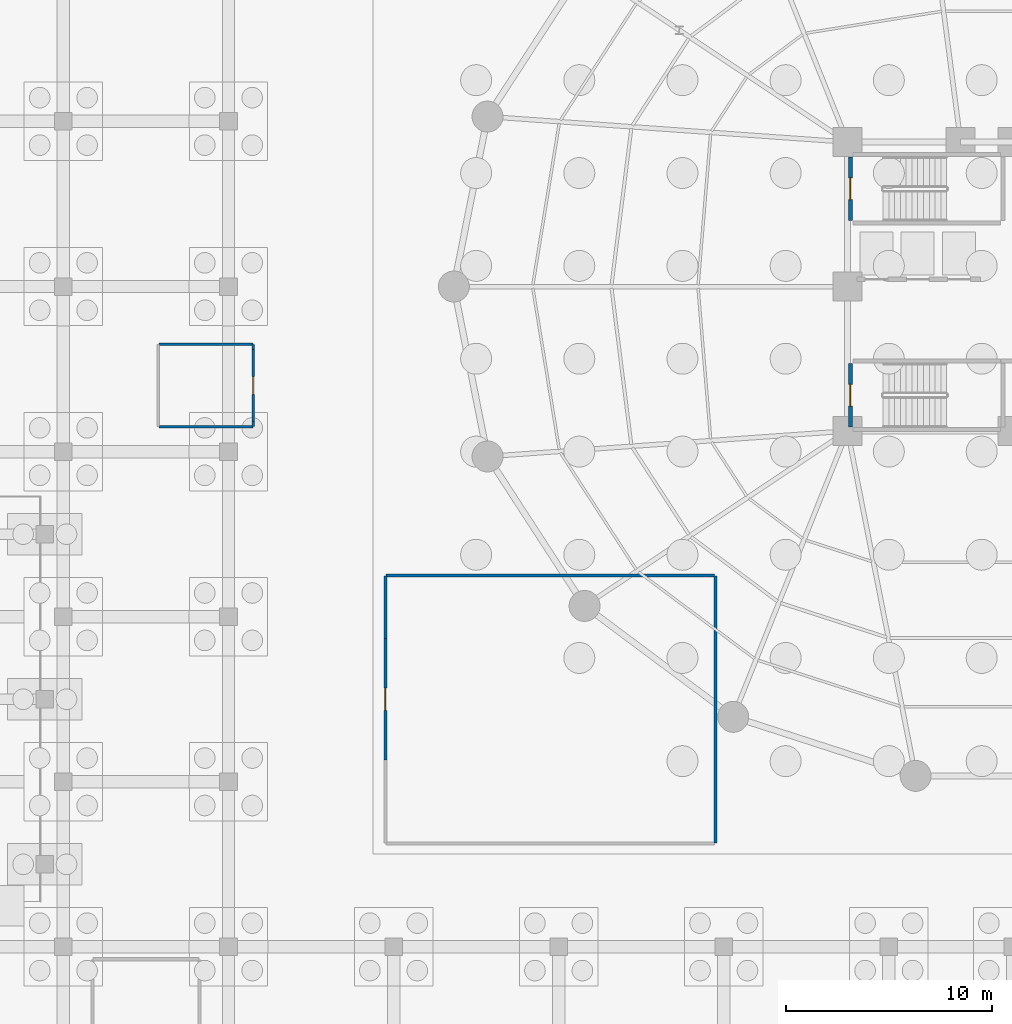
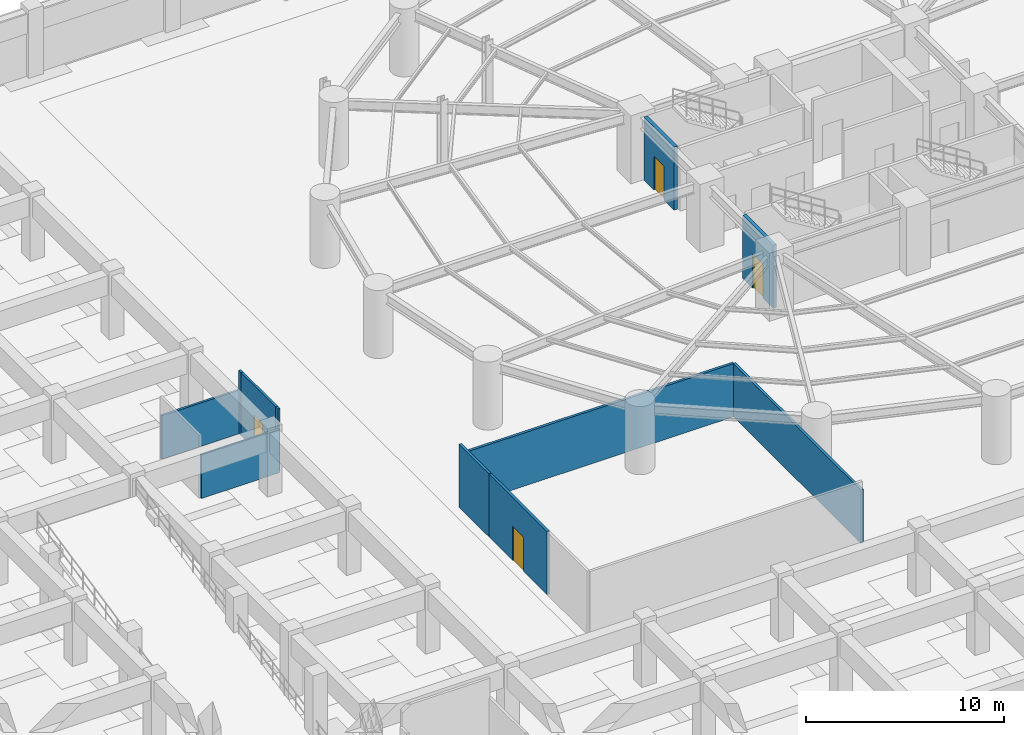
# One storey, part 14 of 23: 11 walls, 4 doors, 4 openings.
"""IFC4 building model written with IfcOpenShell, lengths in metres."""

from ifc_helpers import new_model, si_unit, direction, frame, frame_2d, origin, place, context, subcontext, project, spatial, rectangle, extrude, material, layer, layer_set, type_object, element, fill, save


model = new_model("IFC4")

# Units and contexts
model_context = context("Model", 3, precision=1e-05, world=origin(), true_north=direction((0.0, 1.0)))
body_context = subcontext(model_context, "Body", "Model", "MODEL_VIEW")
ifc_project = project(units=[si_unit("LENGTHUNIT", "METRE"), si_unit("AREAUNIT", "SQUARE_METRE"), si_unit("VOLUMEUNIT", "CUBIC_METRE"), si_unit("PLANEANGLEUNIT", "RADIAN"), si_unit("MASSUNIT", "GRAM", prefix="KILO")], contexts=[model_context])

# Site, building, storey
site_placement = place(None, origin())
site = spatial("IfcSite", under=ifc_project, at=site_placement, CompositionType="ELEMENT")
building_placement = place(site_placement, origin())
building = spatial("IfcBuilding", under=site, at=building_placement, Name="Kelanora Arch Commons", CompositionType="ELEMENT")
storey_placement = place(building_placement, frame((0.0, 0.0, -8.39990234375)))
storey = spatial("IfcBuildingStorey", under=building, at=storey_placement, Name="B02", CompositionType="ELEMENT", Elevation=-8.39990234375)

# Wall, opening, door
ifc_material_1 = material(Name="Autoclaved aerated concrete blockwork with fire plaster", Category="masonry")
ifc_layer_1 = layer(ifc_material_1, 0.14990234375)
ifc_layer_set_1 = layer_set([ifc_layer_1], Name="Autoclaved aerated concrete blockwork with fire plaster")
wall_type_1 = type_object("IfcWallType", Name="W-COMP-150", PredefinedType="PARTITIONING", material=ifc_layer_set_1)
wall_1_placement = place(storey_placement, frame((43.60009765625, 35.06005859375, 0.0), z_axis=(0.0, 0.0, 1.0), x_axis=(0.0, 1.0, 0.0)))
wall_1 = element("IfcWall", 1, at=wall_1_placement, inside=storey, type_object=wall_type_1, Name="Monsoon Attenuation and Fire Water Tank Room B02 Entry Partition", PredefinedType="PARTITIONING", context=body_context, shape_type="SweptSolid", body=[
    extrude(rectangle(XDim=5.8798828125, YDim=0.14990234375, at=frame_2d((2.93994140625, 0.0))), origin(), (0.0, 0.0, 1.0), 3.889892578125),
])
opening_1_placement = place(wall_1_placement, frame((2.39990234375, 0.0, 0.0)))
opening_1 = element("IfcOpeningElement", 2, at=opening_1_placement, cuts=wall_1, Name="Opening D-PLT1", PredefinedType="OPENING", context=body_context, shape_type="SweptSolid", body=[
    extrude(rectangle(XDim=1.080078125, YDim=2.10009765625, at=frame_2d((0.5400390625, 1.050048828125))), frame((0.0, 0.0849609375, 0.0), z_axis=(0.0, -1.0, 0.0), x_axis=(1.0, 0.0, 0.0)), (0.0, 0.0, 1.0), 0.169921875),
])
ifc_material_2 = material(Name="Galvanised steel plant and riser fire door", Category="steel")
door_type_1 = type_object("IfcDoorType", Name="D-PLT-110", OperationType="NOTDEFINED", PredefinedType="DOOR", material=ifc_material_2)
door_1_placement = place(opening_1_placement, origin())
door_1 = element("IfcDoor", 3, at=door_1_placement, inside=storey, type_object=door_type_1, Name="Monsoon Attenuation and Fire Water Tank Room B02 Door", OperationType="SINGLE_SWING_LEFT", OverallHeight=2.10009765625, OverallWidth=1.080078125, PredefinedType="DOOR", context=body_context, shape_type="SweptSolid", body=[
    extrude(rectangle(XDim=1.080078125, YDim=2.10009765625, at=frame_2d((0.5400390625, 1.050048828125))), frame((0.0, 0.02490234375, 0.0), z_axis=(0.0, -1.0, 0.0), x_axis=(1.0, 0.0, 0.0)), (0.0, 0.0, 1.0), 0.050048828125),
])
fill(opening_1, door_1)

# Walls
wall_2_placement = place(storey_placement, frame((59.60009765625, 31.0400390625, 0.0), z_axis=(0.0, 0.0, 1.0), x_axis=(0.0, 1.0, 0.0)))
element("IfcWall", 4, at=wall_2_placement, inside=storey, type_object=wall_type_1, Name="Monsoon Attenuation and Fire Water Tank Room B02 Enclosure Partition 2", PredefinedType="PARTITIONING", context=body_context, shape_type="SweptSolid", body=[
    extrude(rectangle(XDim=12.919921875, YDim=0.14990234375, at=frame_2d((6.4599609375, 0.0))), origin(), (0.0, 0.0, 1.0), 3.284912109375),
])
wall_3_placement = place(storey_placement, frame((59.56005859375, 44.0, 0.0), z_axis=(0.0, 0.0, 1.0), x_axis=(-1.0, 0.0, 0.0)))
element("IfcWall", 5, at=wall_3_placement, inside=storey, type_object=wall_type_1, Name="Monsoon Attenuation and Fire Water Tank Room B02 Enclosure Partition 3", PredefinedType="PARTITIONING", context=body_context, shape_type="SweptSolid", body=[
    extrude(rectangle(XDim=15.920166015625, YDim=0.14990234375, at=frame_2d((7.9599609375, 0.0))), origin(), (0.0, 0.0, 1.0), 3.284912109375),
])
wall_4_placement = place(storey_placement, frame((43.60009765625, 43.9599609375, 0.0), z_axis=(0.0, 0.0, 1.0), x_axis=(0.0, -1.0, 0.0)))
element("IfcWall", 6, at=wall_4_placement, inside=storey, type_object=wall_type_1, Name="Monsoon Attenuation and Fire Water Tank Room B02 Enclosure Partition 4", PredefinedType="PARTITIONING", context=body_context, shape_type="SweptSolid", body=[
    extrude(rectangle(XDim=3.02001953125, YDim=0.14990234375, at=frame_2d((1.510009765625, 0.0))), origin(), (0.0, 0.0, 1.0), 3.889892578125),
])

# Wall, opening, door
ifc_material_3 = material(Name="Concrete C40/50", Category="concrete")
ifc_layer_2 = layer(ifc_material_3, 0.199951171875)
ifc_layer_set_2 = layer_set([ifc_layer_2], Name="Concrete C40/50")
wall_type_2 = type_object("IfcWallType", Name="W-STAIR-200", PredefinedType="SHEAR", material=ifc_layer_set_2)
wall_5_placement = place(storey_placement, frame((66.139892578125, 64.27001953125, 0.0), z_axis=(0.0, 0.0, 1.0), x_axis=(0.0, -1.0, 0.0)))
wall_5 = element("IfcWall", 7, at=wall_5_placement, inside=storey, type_object=wall_type_2, Name="Stair ST-T1 Shaft Wall W B02", PredefinedType="SHEAR", context=body_context, shape_type="SweptSolid", body=[
    extrude(rectangle(XDim=3.070068359375, YDim=0.199951171875, at=frame_2d((1.53515625, 0.0))), origin(), (0.0, 0.0, 1.0), 3.89990234375),
])
opening_2_placement = place(wall_5_placement, frame((1.010009765625, 0.0, 0.0)))
opening_2 = element("IfcOpeningElement", 8, at=opening_2_placement, cuts=wall_5, Name="Opening D-ST1", PredefinedType="OPENING", context=body_context, shape_type="SweptSolid", body=[
    extrude(rectangle(XDim=1.050048828125, YDim=2.10009765625, at=frame_2d((0.52490234375, 1.050048828125))), frame((0.0, 0.10986328125, 0.0), z_axis=(0.0, -1.0, 0.0), x_axis=(1.0, 0.0, 0.0)), (0.0, 0.0, 1.0), 0.219970703125),
])
ifc_material_4 = material(Name="Steel fire-rated stairwell escape door", Category="steel")
door_type_2 = type_object("IfcDoorType", Name="D-STAIR-110", OperationType="NOTDEFINED", PredefinedType="DOOR", material=ifc_material_4)
door_2_placement = place(opening_2_placement, origin())
door_2 = element("IfcDoor", 9, at=door_2_placement, inside=storey, type_object=door_type_2, Name="Stair ST-T1 Escape Door B02", OperationType="SINGLE_SWING_LEFT", OverallHeight=2.10009765625, OverallWidth=1.050048828125, PredefinedType="DOOR", context=body_context, shape_type="SweptSolid", body=[
    extrude(rectangle(XDim=1.050048828125, YDim=2.10009765625, at=frame_2d((0.52490234375, 1.050048828125))), frame((0.0, 0.02490234375, 0.0), z_axis=(0.0, -1.0, 0.0), x_axis=(1.0, 0.0, 0.0)), (0.0, 0.0, 1.0), 0.050048828125),
])
fill(opening_2, door_2)

wall_6_placement = place(storey_placement, frame((66.139892578125, 54.27001953125, 0.0), z_axis=(0.0, 0.0, 1.0), x_axis=(0.0, -1.0, 0.0)))
wall_6 = element("IfcWall", 10, at=wall_6_placement, inside=storey, type_object=wall_type_2, Name="Stair ST-T3 Shaft Wall W B02", PredefinedType="SHEAR", context=body_context, shape_type="SweptSolid", body=[
    extrude(rectangle(XDim=3.070068359375, YDim=0.199951171875, at=frame_2d((1.53515625, 0.0))), origin(), (0.0, 0.0, 1.0), 3.89990234375),
])
opening_3_placement = place(wall_6_placement, frame((1.010009765625, 0.0, 0.0)))
opening_3 = element("IfcOpeningElement", 11, at=opening_3_placement, cuts=wall_6, Name="Opening D-ST1", PredefinedType="OPENING", context=body_context, shape_type="SweptSolid", body=[
    extrude(rectangle(XDim=1.050048828125, YDim=2.10009765625, at=frame_2d((0.52490234375, 1.050048828125))), frame((0.0, 0.10986328125, 0.0), z_axis=(0.0, -1.0, 0.0), x_axis=(1.0, 0.0, 0.0)), (0.0, 0.0, 1.0), 0.219970703125),
])
door_3_placement = place(opening_3_placement, origin())
door_3 = element("IfcDoor", 12, at=door_3_placement, inside=storey, type_object=door_type_2, Name="Stair ST-T3 Escape Door B02", OperationType="SINGLE_SWING_LEFT", OverallHeight=2.10009765625, OverallWidth=1.050048828125, PredefinedType="DOOR", context=body_context, shape_type="SweptSolid", body=[
    extrude(rectangle(XDim=1.050048828125, YDim=2.10009765625, at=frame_2d((0.52490234375, 1.050048828125))), frame((0.0, 0.02490234375, 0.0), z_axis=(0.0, -1.0, 0.0), x_axis=(1.0, 0.0, 0.0)), (0.0, 0.0, 1.0), 0.050048828125),
])
fill(opening_3, door_3)

ifc_material_5 = material(Name="Moisture-resistant fire-rated cement-board plumbing wall")
ifc_layer_3 = layer(ifc_material_5, 0.1298828125)
ifc_layer_set_3 = layer_set([ifc_layer_3], Name="Moisture-resistant fire-rated cement-board plumbing wall")
wall_type_3 = type_object("IfcWallType", Name="W-WET-120", PredefinedType="PLUMBINGWALL", material=ifc_layer_set_3)
wall_7_placement = place(storey_placement, frame((37.199951171875, 51.4599609375, 0.0), z_axis=(0.0, 0.0, 1.0), x_axis=(0.0, 1.0, 0.0)))
wall_7 = element("IfcWall", 13, at=wall_7_placement, inside=storey, type_object=wall_type_3, Name="Accessible Staff Toilet B02 Entry Partition", PredefinedType="PLUMBINGWALL", context=body_context, shape_type="SweptSolid", body=[
    extrude(rectangle(XDim=3.47998046875, YDim=0.1298828125, at=frame_2d((1.739990234375, 0.0))), origin(), (0.0, 0.0, 1.0), 3.889892578125),
])
opening_4_placement = place(wall_7_placement, frame((1.31005859375, 0.0, 0.0)))
opening_4 = element("IfcOpeningElement", 14, at=opening_4_placement, cuts=wall_7, Name="Opening D-BT1", PredefinedType="OPENING", context=body_context, shape_type="SweptSolid", body=[
    extrude(rectangle(XDim=0.860107421875, YDim=2.050048828125, at=frame_2d((0.43017578125, 1.02490234375))), frame((0.0, 0.074951171875, 0.0), z_axis=(0.0, -1.0, 0.0), x_axis=(1.0, 0.0, 0.0)), (0.0, 0.0, 1.0), 0.14990234375),
])
ifc_material_6 = material(Name="Moisture-sealed fire-rated accessible bathroom door")
door_type_3 = type_object("IfcDoorType", Name="D-BATH-85", OperationType="NOTDEFINED", PredefinedType="DOOR", material=ifc_material_6)
door_4_placement = place(opening_4_placement, origin())
door_4 = element("IfcDoor", 15, at=door_4_placement, inside=storey, type_object=door_type_3, Name="Accessible Staff Toilet B02 Door", OperationType="SINGLE_SWING_LEFT", OverallHeight=2.050048828125, OverallWidth=0.860107421875, PredefinedType="DOOR", context=body_context, shape_type="SweptSolid", body=[
    extrude(rectangle(XDim=0.860107421875, YDim=2.050048828125, at=frame_2d((0.43017578125, 1.02490234375))), frame((0.0, 0.02490234375, 0.0), z_axis=(0.0, -1.0, 0.0), x_axis=(1.0, 0.0, 0.0)), (0.0, 0.0, 1.0), 0.050048828125),
])
fill(opening_4, door_4)

# Walls
wall_8_placement = place(storey_placement, frame((32.6201171875, 51.199951171875, 0.0), z_axis=(0.0, 0.0, 1.0), x_axis=(1.0, 0.0, 0.0)))
element("IfcWall", 16, at=wall_8_placement, inside=storey, type_object=wall_type_3, Name="Accessible Staff Toilet B02 Enclosure Partition 1", PredefinedType="PLUMBINGWALL", context=body_context, shape_type="SweptSolid", body=[
    extrude(rectangle(XDim=4.559814453125, YDim=0.1298828125, at=frame_2d((2.27978515625, 0.0))), origin(), (0.0, 0.0, 1.0), 2.684814453125),
])
for number, where, z_axis, x_axis, name in (
    (17, (37.199951171875, 51.219970703125, 0.0), (0.0, 0.0, 1.0), (0.0, 1.0, 0.0), "Accessible Staff Toilet B02 Enclosure Partition 2"),
    (18, (37.199951171875, 54.93994140625, 0.0), (0.0, 0.0, 1.0), (0.0, 1.0, 0.0), "Accessible Staff Toilet B02 Enclosure Partition 2"),
):
    element("IfcWall", number, at=place(storey_placement, frame(where, z_axis=z_axis, x_axis=x_axis)), inside=storey, type_object=wall_type_3, Name=name, PredefinedType="PLUMBINGWALL", context=body_context, shape_type="SweptSolid", body=[
        extrude(rectangle(XDim=0.239990234375, YDim=0.1298828125, at=frame_2d((0.1201171875, 0.0))), origin(), (0.0, 0.0, 1.0), 3.889892578125),
    ])
wall_9_placement = place(storey_placement, frame((37.179931640625, 55.199951171875, 0.0), z_axis=(0.0, 0.0, 1.0), x_axis=(-1.0, 0.0, 0.0)))
element("IfcWall", 19, at=wall_9_placement, inside=storey, type_object=wall_type_3, Name="Accessible Staff Toilet B02 Enclosure Partition 3", PredefinedType="PLUMBINGWALL", context=body_context, shape_type="SweptSolid", body=[
    extrude(rectangle(XDim=4.559814453125, YDim=0.1298828125, at=frame_2d((2.27978515625, 0.0))), origin(), (0.0, 0.0, 1.0), 2.684814453125),
])

save(model, "model.ifc")
